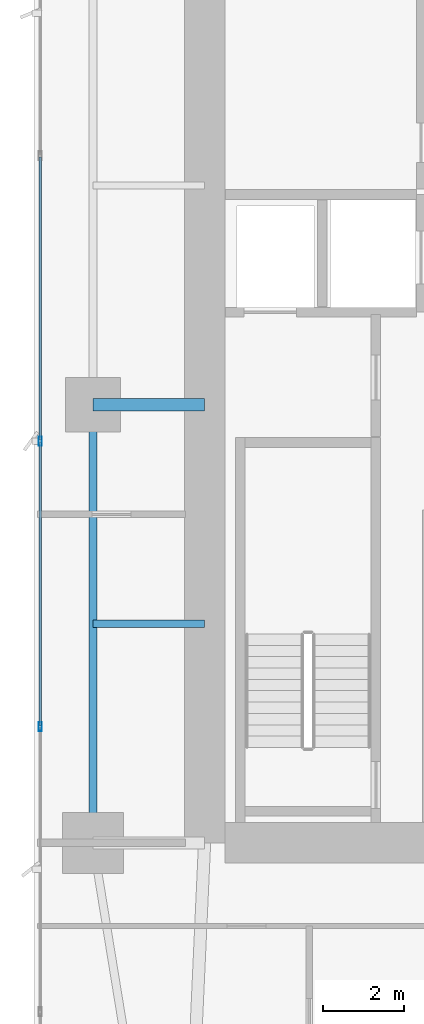
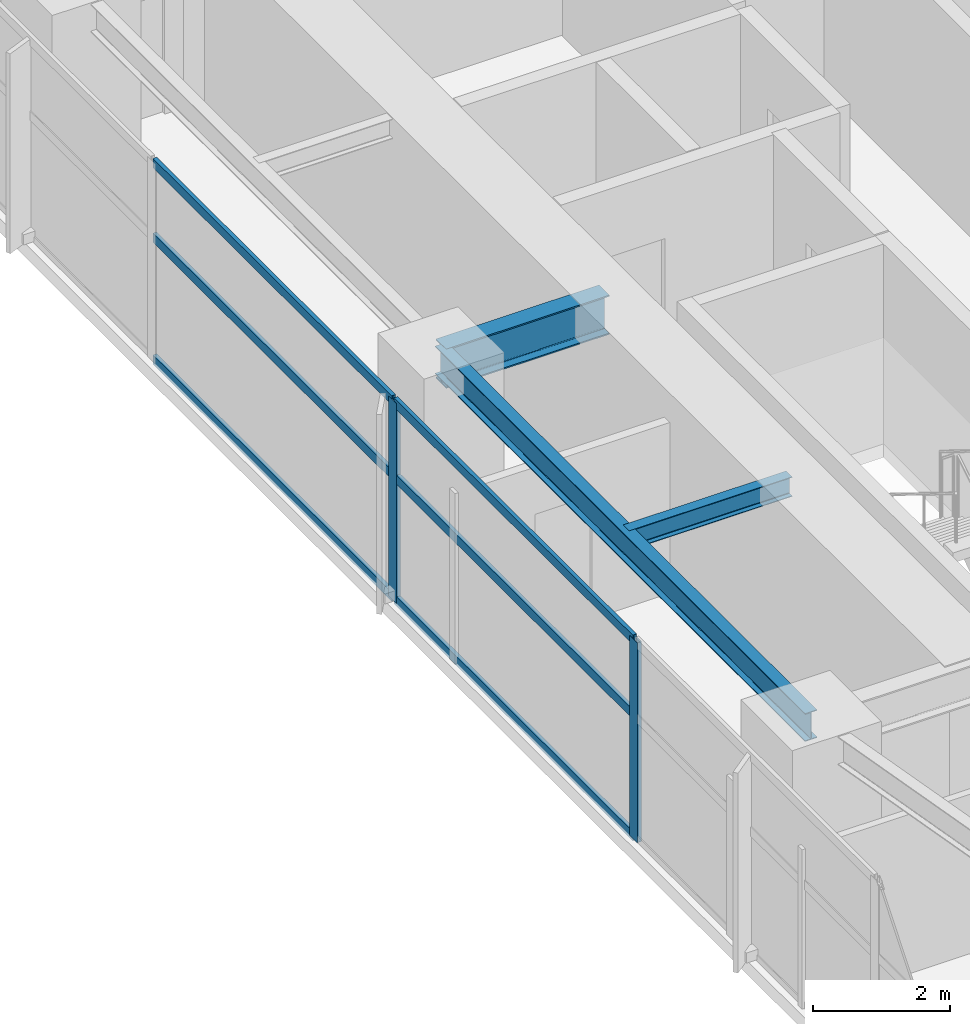
# One storey, part 8 of 30: 8 members, 3 beams, 1 element without a shape of its own.
"""IFC4 building model written with IfcOpenShell, lengths in metres."""

from ifc_helpers import new_model, si_unit, direction, frame, origin, origin_2d, place, context, subcontext, project, spatial, hollow_rectangle, i_section, extrude, material, layer, layer_set, material_profile, profile_set, type_object, element, aggregate, save


model = new_model("IFC4")

# Units and contexts
model_context = context("Model", 3, precision=1e-05, world=origin(), true_north=direction((0.0, 1.0)))
body_context = subcontext(model_context, "Body", "Model", "MODEL_VIEW")
ifc_project = project(units=[si_unit("LENGTHUNIT", "METRE"), si_unit("AREAUNIT", "SQUARE_METRE"), si_unit("VOLUMEUNIT", "CUBIC_METRE"), si_unit("PLANEANGLEUNIT", "RADIAN"), si_unit("MASSUNIT", "GRAM", prefix="KILO")], contexts=[model_context])

# Site, building, storey
site_placement = place(None, origin())
site = spatial("IfcSite", under=ifc_project, at=site_placement, CompositionType="ELEMENT")
building_placement = place(site_placement, origin())
building = spatial("IfcBuilding", under=site, at=building_placement, Name="Calvorn Quay Hotel", CompositionType="ELEMENT")
storey_placement = place(building_placement, frame((0.0, 0.0, 77.39990234375)))
storey = spatial("IfcBuildingStorey", under=building, at=storey_placement, Name="L18", CompositionType="ELEMENT", Elevation=77.39990234375)

# Beams
ifc_material_1 = material(Name="Steel Q390GJC", Category="steel")
ifc_material_profile_1 = material_profile(ifc_material_1, i_section(OverallWidth=0.300048828125, OverallDepth=0.699951171875, WebThickness=0.012939453125, FlangeThickness=0.02392578125, FilletRadius=0.02392578125, at=origin_2d()), Name="HN700x300x13x24")
ifc_profile_set_1 = profile_set([ifc_material_profile_1], Name="Steel Q390GJC")
beam_type_1 = type_object("IfcBeamType", Name="BM-GIRD-MAIN", PredefinedType="BEAM", material=ifc_profile_set_1)
beam_1_placement = place(storey_placement, frame((1.449951171875, 27.60009765625, 3.190185546875), z_axis=(1.0, 0.0, 0.0), x_axis=(0.0, 1.0, 0.0)))
element("IfcBeam", 1, at=beam_1_placement, inside=storey, type_object=beam_type_1, Name="Beam BG-L18-W2", PredefinedType="BEAM", context=body_context, shape_type="SweptSolid", body=[
    extrude(i_section(OverallWidth=0.300048828125, OverallDepth=0.699951171875, WebThickness=0.012939453125, FlangeThickness=0.02392578125, FilletRadius=0.02392578125, at=origin_2d()), origin(), (0.0, 0.0, 1.0), 2.75),
])
ifc_material_2 = material(Name="Steel Q355B", Category="steel")
ifc_material_profile_2 = material_profile(ifc_material_2, i_section(OverallWidth=0.175048828125, OverallDepth=0.35009765625, WebThickness=0.007080078125, FlangeThickness=0.010986328125, FilletRadius=0.013916015625, at=origin_2d()), Name="HN350x175x7x11")
ifc_profile_set_2 = profile_set([ifc_material_profile_2], Name="Steel Q355B")
beam_type_2 = type_object("IfcBeamType", Name="BM-JOIST-SEC", PredefinedType="JOIST", material=ifc_profile_set_2)
beam_2_placement = place(storey_placement, frame((1.449951171875, 22.199951171875, 3.364990234375), z_axis=(1.0, 0.0, 0.0), x_axis=(0.0, 1.0, 0.0)))
element("IfcBeam", 2, at=beam_2_placement, inside=storey, type_object=beam_type_2, Name="Beam BJ-L18-W3", PredefinedType="JOIST", context=body_context, shape_type="SweptSolid", body=[
    extrude(i_section(OverallWidth=0.175048828125, OverallDepth=0.35009765625, WebThickness=0.007080078125, FlangeThickness=0.010986328125, FilletRadius=0.013916015625, at=origin_2d()), origin(), (0.0, 0.0, 1.0), 2.75),
])
ifc_material_3 = material(Name="Steel Q355B", Category="steel")
ifc_material_profile_3 = material_profile(ifc_material_3, i_section(OverallWidth=0.199951171875, OverallDepth=0.5, WebThickness=0.010009765625, FlangeThickness=0.01611328125, FilletRadius=0.01611328125, at=origin_2d()), Name="HN500x200x10x16")
ifc_profile_set_3 = profile_set([ifc_material_profile_3], Name="Steel Q355B")
beam_type_3 = type_object("IfcBeamType", Name="BM-SPANDREL-Z1", PredefinedType="SPANDREL", material=ifc_profile_set_3)
beam_3_placement = place(storey_placement, frame((1.449951171875, 16.800048828125, 3.2900390625), z_axis=(0.0, 1.0, 0.0), x_axis=(-1.0, 0.0, 0.0)))
element("IfcBeam", 3, at=beam_3_placement, inside=storey, type_object=beam_type_3, Name="Beam BSP-L18-W2", PredefinedType="SPANDREL", context=body_context, shape_type="SweptSolid", body=[
    extrude(i_section(OverallWidth=0.199951171875, OverallDepth=0.5, WebThickness=0.010009765625, FlangeThickness=0.01611328125, FilletRadius=0.01611328125, at=origin_2d()), origin(), (0.0, 0.0, 1.0), 10.800048828125),
])

# Curtain wall, members
ifc_material_4 = material(Name="Pale Anodised Aluminium and Low-E Glass", Category="aluminium")
ifc_layer = layer(ifc_material_4, 0.219970703125)
ifc_layer_set = layer_set([ifc_layer], Name="CW-SYS-Z1")
curtain_wall_type = type_object("IfcCurtainWallType", Name="CW-SYS-Z1", PredefinedType="NOTDEFINED", material=ifc_layer_set)
curtain_wall_placement = place(storey_placement, origin())
curtain_wall = element("IfcCurtainWall", 4, at=curtain_wall_placement, inside=storey, type_object=curtain_wall_type, Name="Tower West Curtain Wall (L18)", PredefinedType="NOTDEFINED")
ifc_material_5 = material(Name="Pale Anodised Aluminium 6063-T6", Category="aluminium")
ifc_material_profile_4 = material_profile(ifc_material_5, hollow_rectangle(XDim=0.074951171875, YDim=0.219970703125, WallThickness=0.00439453125, at=origin_2d()), Name="ALU-M220x75x4.5")
ifc_profile_set_4 = profile_set([ifc_material_profile_4], Name="Pale Anodised Aluminium 6063-T6")
member_type_1 = type_object("IfcMemberType", Name="CW-SYS-Z1-MUL", PredefinedType="MULLION", material=ifc_profile_set_4)
member_1_placement = place(storey_placement, frame((0.14990234375, 19.666748046875, 0.0), z_axis=(0.0, 0.0, 1.0), x_axis=(-1.0, 0.0, 0.0)))
member_1 = element("IfcMember", 5, at=member_1_placement, type_object=member_type_1, Name="CW-L18-W mullion 3", PredefinedType="MULLION", context=body_context, shape_type="SweptSolid", body=[
    extrude(hollow_rectangle(XDim=0.074951171875, YDim=0.219970703125, WallThickness=0.00439453125, at=origin_2d()), origin(), (0.0, 0.0, 1.0), 3.56005859375),
])
member_2_placement = place(storey_placement, frame((0.14990234375, 26.699951171875, 0.0), z_axis=(0.0, 0.0, 1.0), x_axis=(-1.0, 0.0, 0.0)))
member_2 = element("IfcMember", 6, at=member_2_placement, type_object=member_type_1, Name="CW-L18-W mullion 4", PredefinedType="MULLION", context=body_context, shape_type="SweptSolid", body=[
    extrude(hollow_rectangle(XDim=0.074951171875, YDim=0.219970703125, WallThickness=0.00439453125, at=origin_2d()), origin(), (0.0, 0.0, 1.0), 3.56005859375),
])
ifc_material_6 = material(Name="Pale Anodised Aluminium 6063-T6", Category="aluminium")
ifc_material_profile_5 = material_profile(ifc_material_6, hollow_rectangle(XDim=0.06494140625, YDim=0.1650390625, WallThickness=0.00341796875, at=origin_2d()), Name="ALU-T165x65x3.5")
ifc_profile_set_5 = profile_set([ifc_material_profile_5], Name="Pale Anodised Aluminium 6063-T6")
member_type_2 = type_object("IfcMemberType", Name="CW-SYS-Z1-TRN", PredefinedType="USERDEFINED", material=ifc_profile_set_5)
member_3_placement = place(storey_placement, frame((0.14990234375, 19.69677734375, 0.030029296875), z_axis=(0.0, 1.0, 0.0), x_axis=(-1.0, 0.0, 0.0)))
member_3 = element("IfcMember", 7, at=member_3_placement, type_object=member_type_2, Name="CW-L18-W transom 3.1", ObjectType="TRANSOM", PredefinedType="USERDEFINED", context=body_context, shape_type="SweptSolid", body=[
    extrude(hollow_rectangle(XDim=0.06494140625, YDim=0.1650390625, WallThickness=0.00341796875, at=origin_2d()), origin(), (0.0, 0.0, 1.0), 6.97314453125),
])
member_4_placement = place(storey_placement, frame((0.14990234375, 19.69677734375, 2.2001953125), z_axis=(0.0, 1.0, 0.0), x_axis=(-1.0, 0.0, 0.0)))
member_4 = element("IfcMember", 8, at=member_4_placement, type_object=member_type_2, Name="CW-L18-W transom 3.2", ObjectType="TRANSOM", PredefinedType="USERDEFINED", context=body_context, shape_type="SweptSolid", body=[
    extrude(hollow_rectangle(XDim=0.06494140625, YDim=0.1650390625, WallThickness=0.00341796875, at=origin_2d()), origin(), (0.0, 0.0, 1.0), 6.97314453125),
])
member_5_placement = place(storey_placement, frame((0.14990234375, 19.69677734375, 3.530029296875), z_axis=(0.0, 1.0, 0.0), x_axis=(-1.0, 0.0, 0.0)))
member_5 = element("IfcMember", 9, at=member_5_placement, type_object=member_type_2, Name="CW-L18-W transom 3.3", ObjectType="TRANSOM", PredefinedType="USERDEFINED", context=body_context, shape_type="SweptSolid", body=[
    extrude(hollow_rectangle(XDim=0.06494140625, YDim=0.1650390625, WallThickness=0.00341796875, at=origin_2d()), origin(), (0.0, 0.0, 1.0), 6.97314453125),
])
member_6_placement = place(storey_placement, frame((0.14990234375, 26.72998046875, 0.030029296875), z_axis=(0.0, 1.0, 0.0), x_axis=(-1.0, 0.0, 0.0)))
member_6 = element("IfcMember", 10, at=member_6_placement, type_object=member_type_2, Name="CW-L18-W transom 4.1", ObjectType="TRANSOM", PredefinedType="USERDEFINED", context=body_context, shape_type="SweptSolid", body=[
    extrude(hollow_rectangle(XDim=0.06494140625, YDim=0.1650390625, WallThickness=0.00341796875, at=origin_2d()), origin(), (0.0, 0.0, 1.0), 6.973388671875),
])
member_7_placement = place(storey_placement, frame((0.14990234375, 26.72998046875, 2.2001953125), z_axis=(0.0, 1.0, 0.0), x_axis=(-1.0, 0.0, 0.0)))
member_7 = element("IfcMember", 11, at=member_7_placement, type_object=member_type_2, Name="CW-L18-W transom 4.2", ObjectType="TRANSOM", PredefinedType="USERDEFINED", context=body_context, shape_type="SweptSolid", body=[
    extrude(hollow_rectangle(XDim=0.06494140625, YDim=0.1650390625, WallThickness=0.00341796875, at=origin_2d()), origin(), (0.0, 0.0, 1.0), 6.973388671875),
])
member_8_placement = place(storey_placement, frame((0.14990234375, 26.72998046875, 3.530029296875), z_axis=(0.0, 1.0, 0.0), x_axis=(-1.0, 0.0, 0.0)))
member_8 = element("IfcMember", 12, at=member_8_placement, type_object=member_type_2, Name="CW-L18-W transom 4.3", ObjectType="TRANSOM", PredefinedType="USERDEFINED", context=body_context, shape_type="SweptSolid", body=[
    extrude(hollow_rectangle(XDim=0.06494140625, YDim=0.1650390625, WallThickness=0.00341796875, at=origin_2d()), origin(), (0.0, 0.0, 1.0), 6.973388671875),
])
aggregate(curtain_wall, [member_1, member_2, member_3, member_4, member_5, member_6, member_7, member_8])

save(model, "model.ifc")
